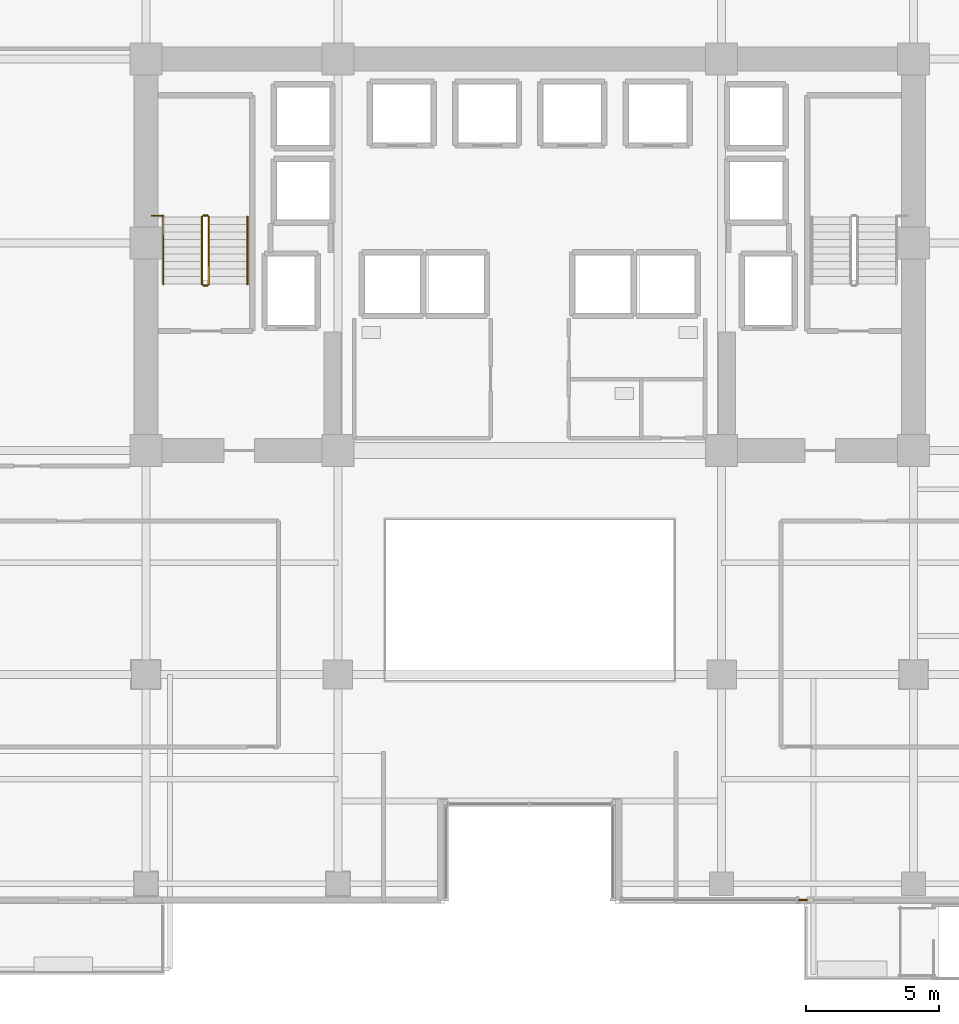
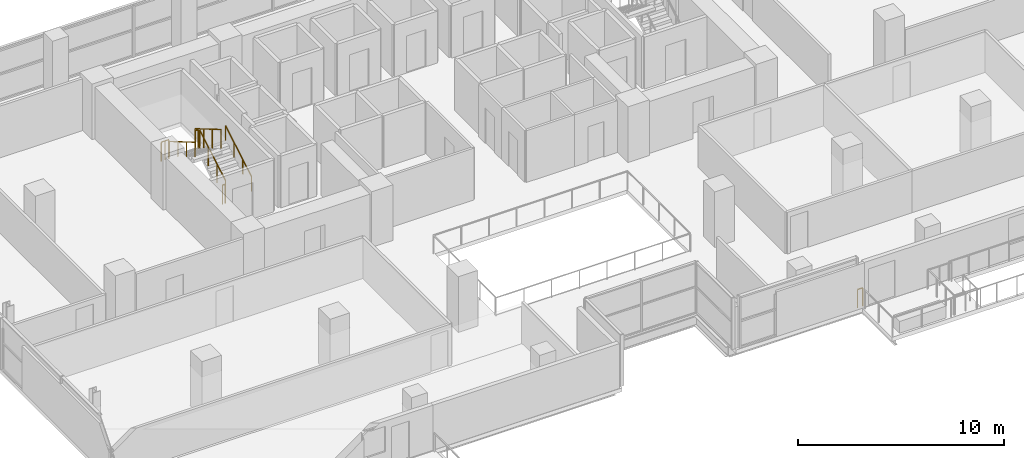
# One storey, part 26 of 28: 8 railings.
"""IFC4 building model written with IfcOpenShell, lengths in metres."""

from ifc_helpers import new_model, si_unit, direction, frame, origin, origin_2d, place, context, subcontext, project, spatial, rectangle, extrude, material, type_object, element, save


model = new_model("IFC4")

# Units and contexts
model_context = context("Model", 3, precision=1e-05, world=origin(), true_north=direction((0.0, 1.0)))
body_context = subcontext(model_context, "Body", "Model", "MODEL_VIEW")
ifc_project = project(units=[si_unit("LENGTHUNIT", "METRE"), si_unit("AREAUNIT", "SQUARE_METRE"), si_unit("VOLUMEUNIT", "CUBIC_METRE"), si_unit("PLANEANGLEUNIT", "RADIAN"), si_unit("MASSUNIT", "GRAM", prefix="KILO")], contexts=[model_context])

# Site, building, storey
site_placement = place(None, origin())
site = spatial("IfcSite", under=ifc_project, at=site_placement, CompositionType="ELEMENT")
building_placement = place(site_placement, origin())
building = spatial("IfcBuilding", under=site, at=building_placement, Name="Zarnakvel Exchange Tower", CompositionType="ELEMENT")
storey_placement = place(building_placement, frame((0.0, 0.0, 57.10009765625)))
storey = spatial("IfcBuildingStorey", under=building, at=storey_placement, Name="L15", CompositionType="ELEMENT", Elevation=57.10009765625)

# Railings
ifc_material_1 = material(Name="Architectural Bronze Anodised Aluminium", Category="aluminium")
railing_type_1 = type_object("IfcRailingType", Name="GR-02", PredefinedType="GUARDRAIL", material=ifc_material_1)
railing_1_placement = place(storey_placement, frame((10.39990234375, -18.06005859375, 0.0)))
element("IfcRailing", 1, at=railing_1_placement, inside=storey, type_object=railing_type_1, Name="L15 Corner Spandrel Balustrade #16", PredefinedType="GUARDRAIL", context=body_context, shape_type="SweptSolid", body=[
    extrude(rectangle(XDim=0.048095703125, YDim=0.048095703125, at=origin_2d()), frame((0.0, 0.0, 1.09619140625), z_axis=(-1.0, 0.0, 0.0), x_axis=(0.0, -1.0, 0.0)), (0.0, 0.0, 1.0), 0.2998046875),
    extrude(rectangle(XDim=0.0419921875, YDim=0.0419921875, at=origin_2d()), origin(), (0.0, 0.0, 1.0), 1.072021484375),
    extrude(rectangle(XDim=0.0419921875, YDim=0.0419921875, at=origin_2d()), frame((-0.2998046875, 0.0, 0.0)), (0.0, 0.0, 1.0), 1.072021484375),
])
ifc_material_2 = material(Name="Brushed Stainless Steel", Category="steel")
railing_type_2 = type_object("IfcRailingType", Name="HR-01", PredefinedType="HANDRAIL", material=ifc_material_2)
railing_2_placement = place(storey_placement, frame((-10.590087890625, 5.050048828125, 0.164794921875)))
element("IfcRailing", 2, at=railing_2_placement, inside=storey, type_object=railing_type_2, Name="L15 ST-01 stair handrail 1", PredefinedType="HANDRAIL", context=body_context, shape_type="SweptSolid", body=[
    extrude(rectangle(XDim=0.048095703125, YDim=0.048095703125, at=origin_2d()), frame((0.0, 0.0, 0.8759765625), z_axis=(0.0, 0.86152411907, 0.507716645641), x_axis=(-1.0, 0.0, 0.0)), (0.0, 0.0, 1.0), 2.925048828125),
    extrude(rectangle(XDim=0.0419921875, YDim=0.0419921875, at=origin_2d()), origin(), (0.0, 0.0, 1.0), 0.851806640625),
    extrude(rectangle(XDim=0.0419921875, YDim=0.0419921875, at=origin_2d()), frame((0.0, 0.840087890625, 0.4951171875)), (0.0, 0.0, 1.0), 0.851806640625),
    extrude(rectangle(XDim=0.0419921875, YDim=0.0419921875, at=origin_2d()), frame((0.0, 1.679931640625, 0.989990234375)), (0.0, 0.0, 1.0), 0.851806640625),
    extrude(rectangle(XDim=0.0419921875, YDim=0.0419921875, at=origin_2d()), frame((0.0, 2.52001953125, 1.485107421875)), (0.0, 0.0, 1.0), 0.851806640625),
])
railing_3_placement = place(storey_placement, frame((-13.75, 7.570068359375, 1.81494140625)))
element("IfcRailing", 3, at=railing_3_placement, inside=storey, type_object=railing_type_2, Name="L15 ST-01 stair handrail 2", PredefinedType="HANDRAIL", context=body_context, shape_type="SweptSolid", body=[
    extrude(rectangle(XDim=0.048095703125, YDim=0.048095703125, at=origin_2d()), frame((0.0, 0.0, 0.8759765625), z_axis=(0.0, -0.861560626758, 0.507654692109), x_axis=(1.0, 0.0, 0.0)), (0.0, 0.0, 1.0), 2.925048828125),
    extrude(rectangle(XDim=0.0419921875, YDim=0.0419921875, at=origin_2d()), origin(), (0.0, 0.0, 1.0), 0.851806640625),
    extrude(rectangle(XDim=0.0419921875, YDim=0.0419921875, at=origin_2d()), frame((0.0, -0.840087890625, 0.494873046875)), (0.0, 0.0, 1.0), 0.851806640625),
    extrude(rectangle(XDim=0.0419921875, YDim=0.0419921875, at=origin_2d()), frame((0.0, -1.679931640625, 0.989990234375)), (0.0, 0.0, 1.0), 0.851806640625),
    extrude(rectangle(XDim=0.0419921875, YDim=0.0419921875, at=origin_2d()), frame((0.0, -2.52001953125, 1.48486328125)), (0.0, 0.0, 1.0), 0.851806640625),
])
railing_type_3 = type_object("IfcRailingType", Name="SG-01", PredefinedType="GUARDRAIL", material=ifc_material_1)
railing_4_placement = place(storey_placement, frame((-12.0400390625, 5.050048828125, 0.164794921875)))
element("IfcRailing", 4, at=railing_4_placement, inside=storey, type_object=railing_type_3, Name="L15 ST-01 stair guard 1", PredefinedType="GUARDRAIL", context=body_context, shape_type="SweptSolid", body=[
    extrude(rectangle(XDim=0.048095703125, YDim=0.048095703125, at=origin_2d()), frame((0.0, 0.0, 1.1259765625), z_axis=(0.0, 0.86152411907, 0.507716645641), x_axis=(-1.0, 0.0, 0.0)), (0.0, 0.0, 1.0), 2.925048828125),
    extrude(rectangle(XDim=0.0419921875, YDim=0.0419921875, at=origin_2d()), origin(), (0.0, 0.0, 1.0), 1.101806640625),
    extrude(rectangle(XDim=0.0419921875, YDim=0.0419921875, at=origin_2d()), frame((0.0, 0.840087890625, 0.4951171875)), (0.0, 0.0, 1.0), 1.101806640625),
    extrude(rectangle(XDim=0.0419921875, YDim=0.0419921875, at=origin_2d()), frame((0.0, 1.679931640625, 0.989990234375)), (0.0, 0.0, 1.0), 1.101806640625),
    extrude(rectangle(XDim=0.0419921875, YDim=0.0419921875, at=origin_2d()), frame((0.0, 2.52001953125, 1.485107421875)), (0.0, 0.0, 1.0), 1.101806640625),
])
railing_5_placement = place(storey_placement, frame((-12.090087890625, 7.6201171875, 1.64990234375)))
element("IfcRailing", 5, at=railing_5_placement, inside=storey, type_object=railing_type_3, Name="L15 ST-01 stair guard 2", PredefinedType="GUARDRAIL", context=body_context, shape_type="SweptSolid", body=[
    extrude(rectangle(XDim=0.048095703125, YDim=0.048095703125, at=origin_2d()), frame((0.0, 0.0, 1.1259765625), z_axis=(-1.0, 0.0, 0.0), x_axis=(0.0, -1.0, 0.0)), (0.0, 0.0, 1.0), 0.159912109375),
    extrude(rectangle(XDim=0.0419921875, YDim=0.0419921875, at=origin_2d()), origin(), (0.0, 0.0, 1.0), 1.101806640625),
    extrude(rectangle(XDim=0.0419921875, YDim=0.0419921875, at=origin_2d()), frame((-0.159912109375, 0.0, 0.0)), (0.0, 0.0, 1.0), 1.101806640625),
])
railing_6_placement = place(storey_placement, frame((-12.300048828125, 7.570068359375, 1.81494140625)))
element("IfcRailing", 6, at=railing_6_placement, inside=storey, type_object=railing_type_3, Name="L15 ST-01 stair guard 3", PredefinedType="GUARDRAIL", context=body_context, shape_type="SweptSolid", body=[
    extrude(rectangle(XDim=0.048095703125, YDim=0.048095703125, at=origin_2d()), frame((0.0, 0.0, 1.1259765625), z_axis=(0.0, -0.861560626758, 0.507654692109), x_axis=(1.0, 0.0, 0.0)), (0.0, 0.0, 1.0), 2.925048828125),
    extrude(rectangle(XDim=0.0419921875, YDim=0.0419921875, at=origin_2d()), origin(), (0.0, 0.0, 1.0), 1.101806640625),
    extrude(rectangle(XDim=0.0419921875, YDim=0.0419921875, at=origin_2d()), frame((0.0, -0.840087890625, 0.494873046875)), (0.0, 0.0, 1.0), 1.101806640625),
    extrude(rectangle(XDim=0.0419921875, YDim=0.0419921875, at=origin_2d()), frame((0.0, -1.679931640625, 0.989990234375)), (0.0, 0.0, 1.0), 1.101806640625),
    extrude(rectangle(XDim=0.0419921875, YDim=0.0419921875, at=origin_2d()), frame((0.0, -2.52001953125, 1.48486328125)), (0.0, 0.0, 1.0), 1.101806640625),
])
railing_7_placement = place(storey_placement, frame((-12.090087890625, 5.0, 0.0)))
element("IfcRailing", 7, at=railing_7_placement, inside=storey, type_object=railing_type_3, Name="L15 ST-01 stair guard 4", PredefinedType="GUARDRAIL", context=body_context, shape_type="SweptSolid", body=[
    extrude(rectangle(XDim=0.048095703125, YDim=0.048095703125, at=origin_2d()), frame((0.0, 0.0, 1.1259765625), z_axis=(-1.0, 0.0, 0.0), x_axis=(0.0, -1.0, 0.0)), (0.0, 0.0, 1.0), 0.159912109375),
    extrude(rectangle(XDim=0.0419921875, YDim=0.0419921875, at=origin_2d()), origin(), (0.0, 0.0, 1.0), 1.101806640625),
    extrude(rectangle(XDim=0.0419921875, YDim=0.0419921875, at=origin_2d()), frame((-0.159912109375, 0.0, 0.0)), (0.0, 0.0, 1.0), 1.101806640625),
])
railing_8_placement = place(storey_placement, frame((-14.179931640625, 7.610107421875, 1.64990234375)))
element("IfcRailing", 8, at=railing_8_placement, inside=storey, type_object=railing_type_3, Name="L15 ST-01 Landing Slot Guardrail", PredefinedType="GUARDRAIL", context=body_context, shape_type="SweptSolid", body=[
    extrude(rectangle(XDim=0.048095703125, YDim=0.048095703125, at=origin_2d()), frame((0.0, 0.0, 1.1259765625), z_axis=(1.0, 0.0, 0.0), x_axis=(0.0, 1.0, 0.0)), (0.0, 0.0, 1.0), 0.429931640625),
    extrude(rectangle(XDim=0.0419921875, YDim=0.0419921875, at=origin_2d()), origin(), (0.0, 0.0, 1.0), 1.101806640625),
    extrude(rectangle(XDim=0.0419921875, YDim=0.0419921875, at=origin_2d()), frame((0.21484375, 0.0, 0.0)), (0.0, 0.0, 1.0), 1.101806640625),
    extrude(rectangle(XDim=0.0419921875, YDim=0.0419921875, at=origin_2d()), frame((0.429931640625, 0.0, 0.0)), (0.0, 0.0, 1.0), 1.101806640625),
])

save(model, "model.ifc")
